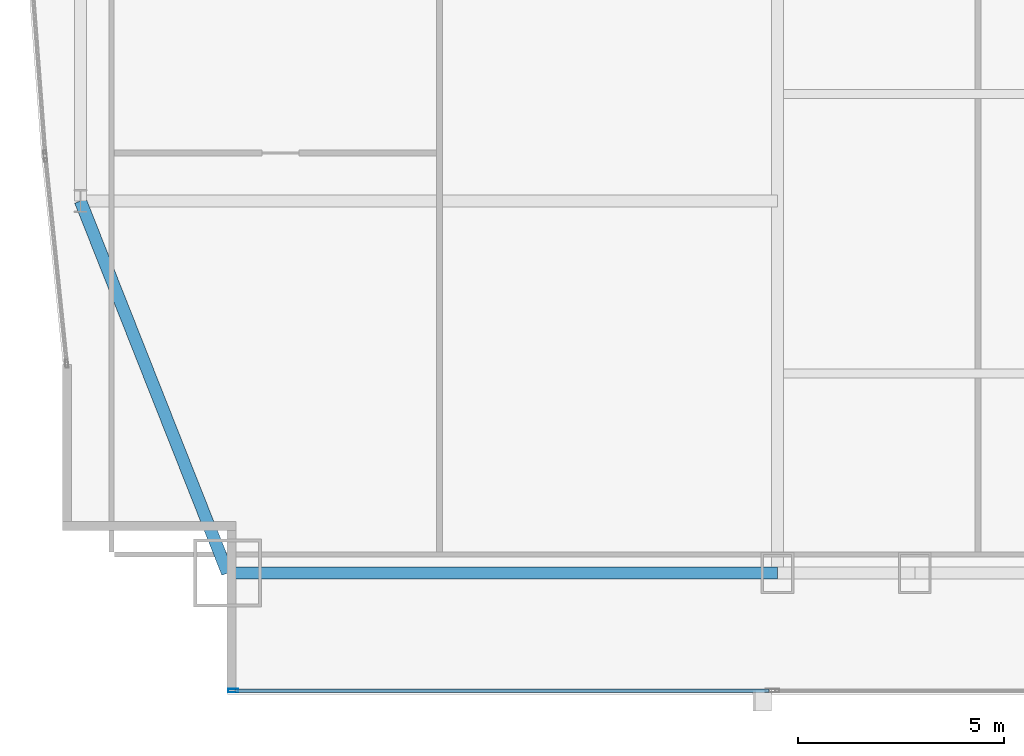
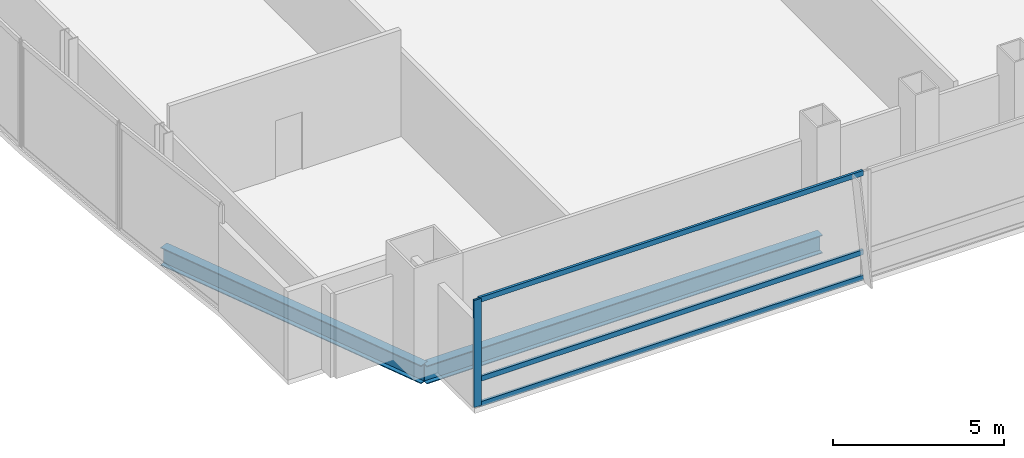
# One storey, part 5 of 32: 4 members, 2 beams, 1 element without a shape of its own.
"""IFC4 building model written with IfcOpenShell, lengths in metres."""

from ifc_helpers import new_model, si_unit, direction, frame, origin, origin_2d, place, context, subcontext, project, spatial, hollow_rectangle, i_section, extrude, material, material_profile, profile_set, type_object, element, aggregate, save


model = new_model("IFC4")

# Units and contexts
model_context = context("Model", 3, precision=1e-05, world=origin(), true_north=direction((0.0, 1.0)))
body_context = subcontext(model_context, "Body", "Model", "MODEL_VIEW")
ifc_project = project(units=[si_unit("LENGTHUNIT", "METRE"), si_unit("AREAUNIT", "SQUARE_METRE"), si_unit("VOLUMEUNIT", "CUBIC_METRE"), si_unit("PLANEANGLEUNIT", "RADIAN"), si_unit("MASSUNIT", "GRAM", prefix="KILO")], contexts=[model_context])

# Site, building, storey
site_placement = place(None, origin())
site = spatial("IfcSite", under=ifc_project, at=site_placement, CompositionType="ELEMENT")
building_placement = place(site_placement, origin())
building = spatial("IfcBuilding", under=site, at=building_placement, Name="Khoronbel Lancet Exchange", CompositionType="ELEMENT")
storey_placement = place(building_placement, frame((0.0, 0.0, 29.800048828125)))
storey = spatial("IfcBuildingStorey", under=building, at=storey_placement, Name="L06", CompositionType="ELEMENT", Elevation=29.800048828125)

# Beams
ifc_material_1 = material(Name="Steel S355", Category="steel")
ifc_material_profile_1 = material_profile(ifc_material_1, i_section(OverallWidth=0.300048828125, OverallDepth=0.64990234375, WebThickness=0.01611328125, FlangeThickness=0.031005859375, at=origin_2d()), Name="HEB 650")
ifc_profile_set_1 = profile_set([ifc_material_profile_1], Name="Steel S355")
beam_type = type_object("IfcBeamType", Name="BM-BSP1", PredefinedType="SPANDREL", material=ifc_profile_set_1)
beam_1_placement = place(storey_placement, frame((4.85009765625, 10.14990234375, -0.505126953125), z_axis=(1.0, 0.0, 0.0), x_axis=(0.0, 1.0, 0.0)))
element("IfcBeam", 1, at=beam_1_placement, inside=storey, type_object=beam_type, Name="Level L06 perimeter spandrel beam SP01", PredefinedType="SPANDREL", context=body_context, shape_type="SweptSolid", body=[
    extrude(i_section(OverallWidth=0.300048828125, OverallDepth=0.64990234375, WebThickness=0.01611328125, FlangeThickness=0.031005859375, at=origin_2d()), origin(), (0.0, 0.0, 1.0), 13.375),
])
beam_2_placement = place(storey_placement, frame((1.27001953125, 19.199951171875, -0.505126953125), z_axis=(0.367850095026, -0.92988510451, 0.0), x_axis=(0.92988510451, 0.367850095026, 0.0)))
element("IfcBeam", 2, at=beam_2_placement, inside=storey, type_object=beam_type, Name="Level L06 perimeter spandrel beam SP21", PredefinedType="SPANDREL", context=body_context, shape_type="SweptSolid", body=[
    extrude(i_section(OverallWidth=0.300048828125, OverallDepth=0.64990234375, WebThickness=0.01611328125, FlangeThickness=0.031005859375, at=origin_2d()), origin(), (0.0, 0.0, 1.0), 9.732421875),
])

# Curtain wall, members
ifc_material_2 = material(Name="Low-E Solar Control Insulating Glass", Category="glass")
curtain_wall_type = type_object("IfcCurtainWallType", Name="CW-1", PredefinedType="NOTDEFINED", material=ifc_material_2)
curtain_wall_placement = place(storey_placement, origin())
curtain_wall = element("IfcCurtainWall", 3, at=curtain_wall_placement, inside=storey, type_object=curtain_wall_type, Name="Unitised curtain wall CW-L06-SWV", PredefinedType="NOTDEFINED")
ifc_material_3 = material(Name="Bronze-Anodised Aluminium 6063-T6", Category="aluminium")
ifc_material_profile_2 = material_profile(ifc_material_3, hollow_rectangle(XDim=0.0849609375, YDim=0.239990234375, WallThickness=0.006103515625, at=origin_2d()), Name="ALU MULLION 85x240")
ifc_profile_set_2 = profile_set([ifc_material_profile_2], Name="Bronze-Anodised Aluminium 6063-T6")
member_type_1 = type_object("IfcMemberType", Name="MEM-CWM1", PredefinedType="MULLION", material=ifc_profile_set_2)
member_1_placement = place(storey_placement, frame((4.982421875, 7.2900390625, 0.0), z_axis=(0.0, 0.0, 1.0), x_axis=(0.0, 1.0, 0.0)))
member_1 = element("IfcMember", 4, at=member_1_placement, type_object=member_type_1, Name="CW1 mullion 1", PredefinedType="MULLION", context=body_context, shape_type="SweptSolid", body=[
    extrude(hollow_rectangle(XDim=0.0849609375, YDim=0.239990234375, WallThickness=0.006103515625, at=origin_2d()), origin(), (0.0, 0.0, 1.0), 3.820068359375),
])
ifc_material_profile_3 = material_profile(ifc_material_3, hollow_rectangle(XDim=0.0849609375, YDim=0.179931640625, WallThickness=0.0048828125, at=origin_2d()), Name="ALU TRANSOM 85x180")
ifc_profile_set_3 = profile_set([ifc_material_profile_3], Name="Bronze-Anodised Aluminium 6063-T6")
member_type_2 = type_object("IfcMemberType", Name="MEM-CWT1", PredefinedType="USERDEFINED", material=ifc_profile_set_3)
member_2_placement = place(storey_placement, frame((5.02490234375, 7.2900390625, 0.04248046875), z_axis=(1.0, 0.0, 0.0), x_axis=(0.0, 1.0, 0.0)))
member_2 = element("IfcMember", 5, at=member_2_placement, type_object=member_type_2, Name="CW1 transom 1.1", ObjectType="TRANSOM", PredefinedType="USERDEFINED", context=body_context, shape_type="SweptSolid", body=[
    extrude(hollow_rectangle(XDim=0.0849609375, YDim=0.179931640625, WallThickness=0.0048828125, at=origin_2d()), origin(), (0.0, 0.0, 1.0), 12.989990234375),
])
member_3_placement = place(storey_placement, frame((5.02490234375, 7.2900390625, 0.949951171875), z_axis=(1.0, 0.0, 0.0), x_axis=(0.0, 1.0, 0.0)))
member_3 = element("IfcMember", 6, at=member_3_placement, type_object=member_type_2, Name="CW1 transom 1.2", ObjectType="TRANSOM", PredefinedType="USERDEFINED", context=body_context, shape_type="SweptSolid", body=[
    extrude(hollow_rectangle(XDim=0.0849609375, YDim=0.179931640625, WallThickness=0.0048828125, at=origin_2d()), origin(), (0.0, 0.0, 1.0), 12.989990234375),
])
member_4_placement = place(storey_placement, frame((5.02490234375, 7.2900390625, 3.77734375), z_axis=(1.0, 0.0, 0.0), x_axis=(0.0, 1.0, 0.0)))
member_4 = element("IfcMember", 7, at=member_4_placement, type_object=member_type_2, Name="CW1 transom 1.3", ObjectType="TRANSOM", PredefinedType="USERDEFINED", context=body_context, shape_type="SweptSolid", body=[
    extrude(hollow_rectangle(XDim=0.0849609375, YDim=0.179931640625, WallThickness=0.0048828125, at=origin_2d()), origin(), (0.0, 0.0, 1.0), 12.989990234375),
])
aggregate(curtain_wall, [member_1, member_2, member_3, member_4])

save(model, "model.ifc")
